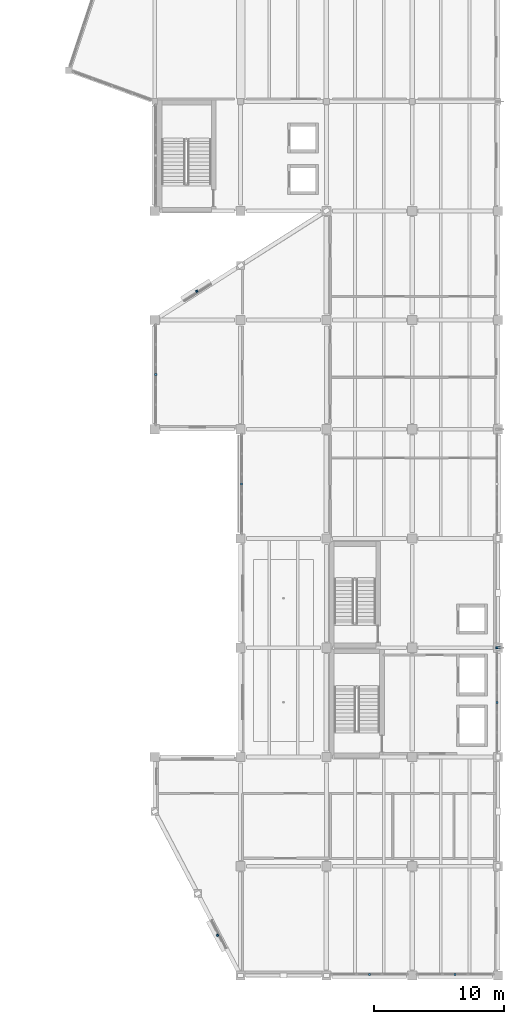
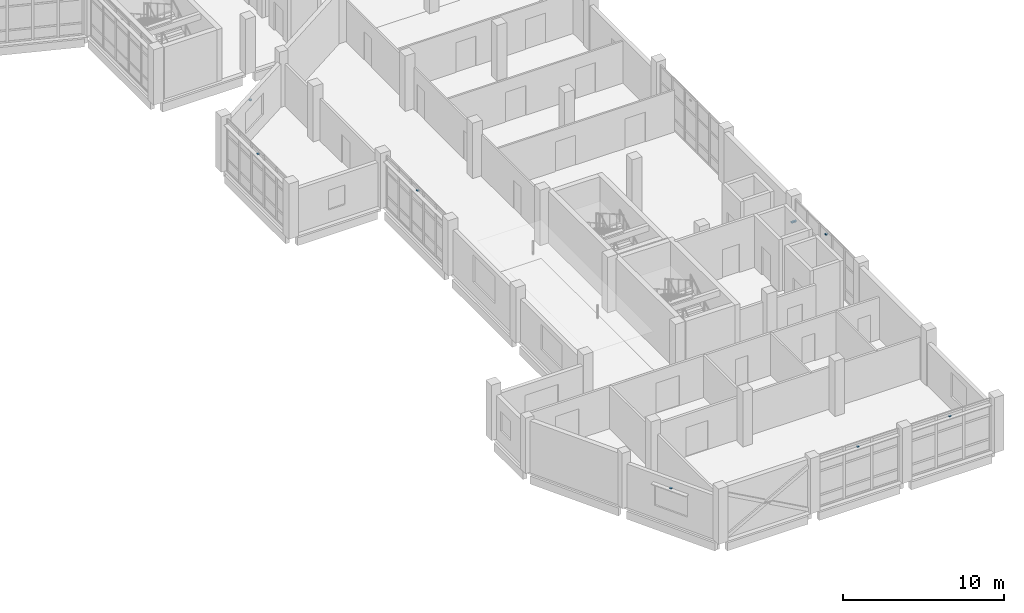
# One storey, part 62 of 74: 8 discrete accessories.
"""IFC4 building model written with IfcOpenShell, lengths in metres."""

from ifc_helpers import new_model, si_unit, direction, frame, origin, origin_2d, place, context, subcontext, project, spatial, rectangle, extrude, material, layer, layer_set, type_object, element, save


model = new_model("IFC4")

# Units and contexts
model_context = context("Model", 3, precision=1e-05, world=origin(), true_north=direction((0.0, 1.0)))
body_context = subcontext(model_context, "Body", "Model", "MODEL_VIEW")
ifc_project = project(units=[si_unit("LENGTHUNIT", "METRE"), si_unit("AREAUNIT", "SQUARE_METRE"), si_unit("VOLUMEUNIT", "CUBIC_METRE"), si_unit("PLANEANGLEUNIT", "RADIAN"), si_unit("MASSUNIT", "GRAM", prefix="KILO")], contexts=[model_context])

# Site, building, storey
site_placement = place(None, origin())
site = spatial("IfcSite", under=ifc_project, at=site_placement, CompositionType="ELEMENT")
building_placement = place(site_placement, origin())
building = spatial("IfcBuilding", under=site, at=building_placement, Name="Qaldarim Faculty of Natural and Applied Sciences", CompositionType="ELEMENT")
storey_placement = place(building_placement, frame((0.0, 0.0, 14.39990234375)))
storey = spatial("IfcBuildingStorey", under=building, at=storey_placement, Name="L03", CompositionType="ELEMENT", Elevation=14.39990234375)

# Discrete accessories
ifc_material = material(Name="Architectural stainless steel 316", Category="steel")
ifc_layer = layer(ifc_material, 0.080078125)
ifc_layer_set = layer_set([ifc_layer], Name="Architectural stainless steel 316")
discrete_accessory_type = type_object("IfcDiscreteAccessoryType", Name="FacadeBracket-SS120", PredefinedType="BRACKET", material=ifc_layer_set)
for number, where, z_axis, x_axis, name in (
    (1, (151.8798828125, 46.199951171875, 3.550048828125), (0.0, 0.0, 1.0), (0.0, 1.0, 0.0), "Solar louvre support bracket SHD-L03-W-X24Y06"),
    (2, (158.47998046875, 37.800048828125, 3.550048828125), (0.0, 0.0, 1.0), (0.0, 1.0, 0.0), "Solar louvre support bracket SHD-L03-W-X25Y05"),
    (3, (168.300048828125, 0.080078125, 3.550048828125), (0.0, 0.0, 1.0), (1.0, 0.0, 0.0), "Solar louvre support bracket SHD-L03-S-X26Y01"),
    (4, (174.89990234375, 0.080078125, 3.550048828125), (0.0, 0.0, 1.0), (1.0, 0.0, 0.0), "Solar louvre support bracket SHD-L03-S-X27Y01"),
    (5, (178.1201171875, 21.0, 3.550048828125), (0.0, 0.0, 1.0), (0.0, 1.0, 0.0), "Solar louvre support bracket SHD-L03-E-X27Y03"),
    (6, (156.625, 3.0849609375, 2.66015625), (0.0, 0.0, 1.0), (0.46447113214, -0.885588260654, 0.0), "Oblique solar louvre bracket SHD-OBL-SW-L03-2"),
    (7, (155.02490234375, 52.6201171875, 2.66015625), (0.0, 0.0, 1.0), (0.843775713382, 0.536695952571, 0.0), "Oblique solar louvre bracket SHD-OBL-NW-L03-1"),
):
    element("IfcDiscreteAccessory", number, at=place(storey_placement, frame(where, z_axis=z_axis, x_axis=x_axis)), inside=storey, type_object=discrete_accessory_type, Name=name, PredefinedType="BRACKET", context=body_context, shape_type="SweptSolid", body=[
        extrude(rectangle(XDim=0.159912109375, YDim=0.159912109375, at=origin_2d()), origin(), (0.0, 0.0, 1.0), 0.080078125),
    ])
discrete_accessory_placement = place(storey_placement, frame((178.199951171875, 25.199951171875, 1.920166015625), z_axis=(0.0, 0.0, 1.0), x_axis=(1.0, 0.0, 0.0)))
element("IfcDiscreteAccessory", 8, at=discrete_accessory_placement, inside=storey, type_object=discrete_accessory_type, Name="Solar fin bracket FIN-L03-X28Y04", PredefinedType="BRACKET", context=body_context, shape_type="SweptSolid", body=[
    extrude(rectangle(XDim=0.360107421875, YDim=0.139892578125, at=origin_2d()), origin(), (0.0, 0.0, 1.0), 0.10009765625),
])

save(model, "model.ifc")
